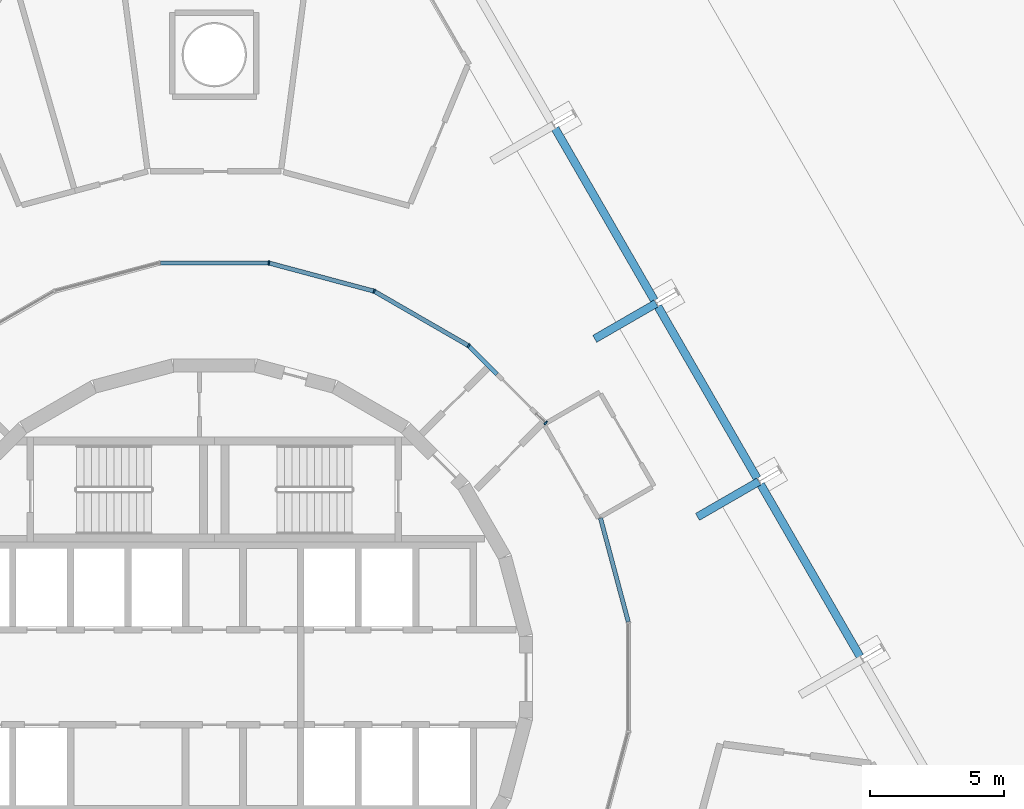
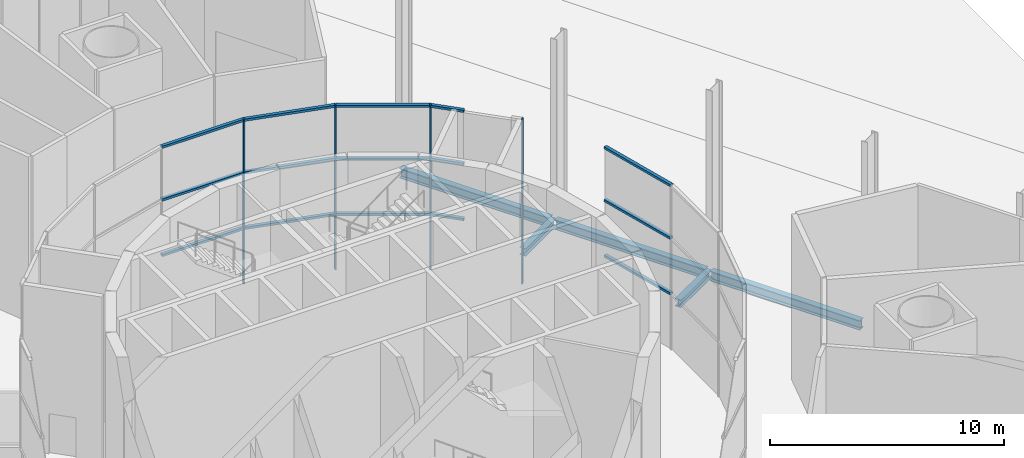
# One storey, part 9 of 21: 19 members, 5 beams, 5 elements without a shape of their own.
"""IFC4 building model written with IfcOpenShell, lengths in metres."""

from ifc_helpers import new_model, si_unit, direction, frame, origin, origin_2d, place, context, subcontext, project, spatial, rectangle, i_section, extrude, material, layer, layer_set, material_profile, profile_set, type_object, element, aggregate, save


model = new_model("IFC4")

# Units and contexts
model_context = context("Model", 3, precision=1e-05, world=origin(), true_north=direction((0.0, 1.0)))
body_context = subcontext(model_context, "Body", "Model", "MODEL_VIEW")
ifc_project = project(units=[si_unit("LENGTHUNIT", "METRE"), si_unit("AREAUNIT", "SQUARE_METRE"), si_unit("VOLUMEUNIT", "CUBIC_METRE"), si_unit("PLANEANGLEUNIT", "RADIAN"), si_unit("MASSUNIT", "GRAM", prefix="KILO")], contexts=[model_context])

# Site, building, storey
site_placement = place(None, origin())
site = spatial("IfcSite", under=ifc_project, at=site_placement, CompositionType="ELEMENT")
building_placement = place(site_placement, origin())
building = spatial("IfcBuilding", under=site, at=building_placement, Name="Spindle Arch Residences", CompositionType="ELEMENT")
storey_placement = place(building_placement, origin())
storey = spatial("IfcBuildingStorey", under=building, at=storey_placement, Name="L00", CompositionType="ELEMENT", Elevation=0.0)

# Curtain wall, member
ifc_material_1 = material(Name="Aluminium bronze unitised frame with tinted glass", Category="aluminium")
ifc_layer = layer(ifc_material_1, 0.159912109375)
ifc_layer_set = layer_set([ifc_layer], Name="CW-A arcade glazed lobby wall")
curtain_wall_type = type_object("IfcCurtainWallType", Name="CW-A arcade glazed lobby wall", PredefinedType="NOTDEFINED", material=ifc_layer_set)
curtain_wall_1_placement = place(storey_placement, origin())
curtain_wall_1 = element("IfcCurtainWall", 1, at=curtain_wall_1_placement, inside=storey, type_object=curtain_wall_type, Name="CW-A L00 CWA07", PredefinedType="NOTDEFINED")
ifc_material_2 = material(Name="Aluminium bronze anodised mullion", Category="aluminium")
ifc_material_profile_1 = material_profile(ifc_material_2, rectangle(XDim=0.159912109375, YDim=0.06005859375, at=origin_2d()), Name="MU 60x160")
ifc_profile_set_1 = profile_set([ifc_material_profile_1], Name="Aluminium bronze anodised mullion")
member_type_1 = type_object("IfcMemberType", Name="Bronze mullion 60x160", PredefinedType="MULLION", material=ifc_profile_set_1)
member_1_placement = place(storey_placement, frame((12.38427734375, 9.5029296875, 0.0), z_axis=(0.0, 0.0, 1.0), x_axis=(-0.707106781187, -0.707106781187, 0.0)))
member_1 = element("IfcMember", 2, at=member_1_placement, type_object=member_type_1, Name="CW-A mullion 1", PredefinedType="MULLION", context=body_context, shape_type="SweptSolid", body=[
    extrude(rectangle(XDim=0.159912109375, YDim=0.06005859375, at=origin_2d()), origin(), (0.0, 0.0, 1.0), 8.6201171875),
])

curtain_wall_2_placement = place(storey_placement, origin())
curtain_wall_2 = element("IfcCurtainWall", 3, at=curtain_wall_2_placement, inside=storey, type_object=curtain_wall_type, Name="CW-A L00 CWA08", PredefinedType="NOTDEFINED")
member_2_placement = place(storey_placement, frame((9.5029296875, 12.38427734375, 0.0), z_axis=(0.0, 0.0, 1.0), x_axis=(-0.500022695718, -0.866012300009, 0.0)))
member_2 = element("IfcMember", 4, at=member_2_placement, type_object=member_type_1, Name="CW-A mullion 1", PredefinedType="MULLION", context=body_context, shape_type="SweptSolid", body=[
    extrude(rectangle(XDim=0.159912109375, YDim=0.06005859375, at=origin_2d()), origin(), (0.0, 0.0, 1.0), 8.6201171875),
])

curtain_wall_3_placement = place(storey_placement, origin())
curtain_wall_3 = element("IfcCurtainWall", 5, at=curtain_wall_3_placement, inside=storey, type_object=curtain_wall_type, Name="CW-A L00 CWA09", PredefinedType="NOTDEFINED")
member_3_placement = place(storey_placement, frame((5.973876953125, 14.422119140625, 0.0), z_axis=(0.0, 0.0, 1.0), x_axis=(-0.258786338994, -0.965934589271, 0.0)))
member_3 = element("IfcMember", 6, at=member_3_placement, type_object=member_type_1, Name="CW-A mullion 1", PredefinedType="MULLION", context=body_context, shape_type="SweptSolid", body=[
    extrude(rectangle(XDim=0.159912109375, YDim=0.06005859375, at=origin_2d()), origin(), (0.0, 0.0, 1.0), 8.6201171875),
])

curtain_wall_4_placement = place(storey_placement, origin())
curtain_wall_4 = element("IfcCurtainWall", 7, at=curtain_wall_4_placement, inside=storey, type_object=curtain_wall_type, Name="CW-A L00 CWA10", PredefinedType="NOTDEFINED")
member_4_placement = place(storey_placement, frame((2.037353515625, 15.4765625, 0.0), z_axis=(0.0, 0.0, 1.0), x_axis=(0.0, -1.0, 0.0)))
member_4 = element("IfcMember", 8, at=member_4_placement, type_object=member_type_1, Name="CW-A mullion 1", PredefinedType="MULLION", context=body_context, shape_type="SweptSolid", body=[
    extrude(rectangle(XDim=0.159912109375, YDim=0.06005859375, at=origin_2d()), origin(), (0.0, 0.0, 1.0), 8.6201171875),
])

# Curtain wall, members
curtain_wall_5_placement = place(storey_placement, origin())
curtain_wall_5 = element("IfcCurtainWall", 9, at=curtain_wall_5_placement, inside=storey, type_object=curtain_wall_type, Name="CW-A L00 CWA05", PredefinedType="NOTDEFINED")
ifc_material_3 = material(Name="Aluminium bronze anodised transom", Category="aluminium")
ifc_material_profile_2 = material_profile(ifc_material_3, rectangle(XDim=0.159912109375, YDim=0.1201171875, at=origin_2d()), Name="TR 120x160")
ifc_profile_set_2 = profile_set([ifc_material_profile_2], Name="Aluminium bronze anodised transom")
member_type_2 = type_object("IfcMemberType", Name="Bronze transom 120x160", PredefinedType="USERDEFINED", material=ifc_profile_set_2)
member_5_placement = place(storey_placement, frame((15.46875, 2.06640625, 2.89990234375), z_axis=(-0.258782687609, 0.965935567517, 0.0), x_axis=(-0.965935567517, -0.258782687609, 0.0)))
member_5 = element("IfcMember", 10, at=member_5_placement, type_object=member_type_2, Name="CW-A transom 00.1", ObjectType="TRANSOM", PredefinedType="USERDEFINED", context=body_context, shape_type="SweptSolid", body=[
    extrude(rectangle(XDim=0.159912109375, YDim=0.1201171875, at=origin_2d()), origin(), (0.0, 0.0, 1.0), 4.01513671875),
])
member_6_placement = place(storey_placement, frame((15.46875, 2.06640625, 5.800048828125), z_axis=(-0.258782687609, 0.965935567517, 0.0), x_axis=(-0.965935567517, -0.258782687609, 0.0)))
member_6 = element("IfcMember", 11, at=member_6_placement, type_object=member_type_2, Name="CW-A transom 00.2", ObjectType="TRANSOM", PredefinedType="USERDEFINED", context=body_context, shape_type="SweptSolid", body=[
    extrude(rectangle(XDim=0.159912109375, YDim=0.1201171875, at=origin_2d()), origin(), (0.0, 0.0, 1.0), 4.01513671875),
])
member_7_placement = place(storey_placement, frame((15.46875, 2.06640625, 8.56005859375), z_axis=(-0.258782687609, 0.965935567517, 0.0), x_axis=(-0.965935567517, -0.258782687609, 0.0)))
member_7 = element("IfcMember", 12, at=member_7_placement, type_object=member_type_2, Name="CW-A transom 00.3", ObjectType="TRANSOM", PredefinedType="USERDEFINED", context=body_context, shape_type="SweptSolid", body=[
    extrude(rectangle(XDim=0.159912109375, YDim=0.1201171875, at=origin_2d()), origin(), (0.0, 0.0, 1.0), 4.01513671875),
])
aggregate(curtain_wall_5, [member_5, member_6, member_7])

# Member
member_8_placement = place(storey_placement, frame((10.56201171875, 11.3251953125, 2.89990234375), z_axis=(-0.707106781187, 0.707106781187, 0.0), x_axis=(-0.707106781187, -0.707106781187, 0.0)))
member_8 = element("IfcMember", 13, at=member_8_placement, type_object=member_type_2, Name="CW-A transom R.1", ObjectType="TRANSOM", PredefinedType="USERDEFINED", context=body_context, shape_type="SweptSolid", body=[
    extrude(rectangle(XDim=0.159912109375, YDim=0.1201171875, at=origin_2d()), origin(), (0.0, 0.0, 1.0), 1.4677734375),
])

member_9_placement = place(storey_placement, frame((10.56201171875, 11.3251953125, 5.800048828125), z_axis=(-0.707106781187, 0.707106781187, 0.0), x_axis=(-0.707106781187, -0.707106781187, 0.0)))
member_9 = element("IfcMember", 14, at=member_9_placement, type_object=member_type_2, Name="CW-A transom R.2", ObjectType="TRANSOM", PredefinedType="USERDEFINED", context=body_context, shape_type="SweptSolid", body=[
    extrude(rectangle(XDim=0.159912109375, YDim=0.1201171875, at=origin_2d()), origin(), (0.0, 0.0, 1.0), 1.4677734375),
])

member_10_placement = place(storey_placement, frame((10.56201171875, 11.3251953125, 8.56005859375), z_axis=(-0.707106781187, 0.707106781187, 0.0), x_axis=(-0.707106781187, -0.707106781187, 0.0)))
member_10 = element("IfcMember", 15, at=member_10_placement, type_object=member_type_2, Name="CW-A transom R.3", ObjectType="TRANSOM", PredefinedType="USERDEFINED", context=body_context, shape_type="SweptSolid", body=[
    extrude(rectangle(XDim=0.159912109375, YDim=0.1201171875, at=origin_2d()), origin(), (0.0, 0.0, 1.0), 1.4677734375),
])

aggregate(curtain_wall_1, [member_1, member_8, member_9, member_10])

member_11_placement = place(storey_placement, frame((9.476806640625, 12.3994140625, 2.89990234375), z_axis=(-0.866015464827, 0.500017214385, 0.0), x_axis=(-0.500017214385, -0.866015464827, 0.0)))
member_11 = element("IfcMember", 16, at=member_11_placement, type_object=member_type_2, Name="CW-A transom 00.1", ObjectType="TRANSOM", PredefinedType="USERDEFINED", context=body_context, shape_type="SweptSolid", body=[
    extrude(rectangle(XDim=0.159912109375, YDim=0.1201171875, at=origin_2d()), origin(), (0.0, 0.0, 1.0), 4.014892578125),
])

member_12_placement = place(storey_placement, frame((9.476806640625, 12.3994140625, 5.800048828125), z_axis=(-0.866015464827, 0.500017214385, 0.0), x_axis=(-0.500017214385, -0.866015464827, 0.0)))
member_12 = element("IfcMember", 17, at=member_12_placement, type_object=member_type_2, Name="CW-A transom 00.2", ObjectType="TRANSOM", PredefinedType="USERDEFINED", context=body_context, shape_type="SweptSolid", body=[
    extrude(rectangle(XDim=0.159912109375, YDim=0.1201171875, at=origin_2d()), origin(), (0.0, 0.0, 1.0), 4.014892578125),
])

member_13_placement = place(storey_placement, frame((9.476806640625, 12.3994140625, 8.56005859375), z_axis=(-0.866015464827, 0.500017214385, 0.0), x_axis=(-0.500017214385, -0.866015464827, 0.0)))
member_13 = element("IfcMember", 18, at=member_13_placement, type_object=member_type_2, Name="CW-A transom 00.3", ObjectType="TRANSOM", PredefinedType="USERDEFINED", context=body_context, shape_type="SweptSolid", body=[
    extrude(rectangle(XDim=0.159912109375, YDim=0.1201171875, at=origin_2d()), origin(), (0.0, 0.0, 1.0), 4.014892578125),
])

aggregate(curtain_wall_2, [member_2, member_11, member_12, member_13])

member_14_placement = place(storey_placement, frame((5.94482421875, 14.4296875, 2.89990234375), z_axis=(-0.965935567517, 0.258782687609, 0.0), x_axis=(-0.258782687609, -0.965935567517, 0.0)))
member_14 = element("IfcMember", 19, at=member_14_placement, type_object=member_type_2, Name="CW-A transom 00.1", ObjectType="TRANSOM", PredefinedType="USERDEFINED", context=body_context, shape_type="SweptSolid", body=[
    extrude(rectangle(XDim=0.159912109375, YDim=0.1201171875, at=origin_2d()), origin(), (0.0, 0.0, 1.0), 4.01513671875),
])

member_15_placement = place(storey_placement, frame((5.94482421875, 14.4296875, 5.800048828125), z_axis=(-0.965935567517, 0.258782687609, 0.0), x_axis=(-0.258782687609, -0.965935567517, 0.0)))
member_15 = element("IfcMember", 20, at=member_15_placement, type_object=member_type_2, Name="CW-A transom 00.2", ObjectType="TRANSOM", PredefinedType="USERDEFINED", context=body_context, shape_type="SweptSolid", body=[
    extrude(rectangle(XDim=0.159912109375, YDim=0.1201171875, at=origin_2d()), origin(), (0.0, 0.0, 1.0), 4.01513671875),
])

member_16_placement = place(storey_placement, frame((5.94482421875, 14.4296875, 8.56005859375), z_axis=(-0.965935567517, 0.258782687609, 0.0), x_axis=(-0.258782687609, -0.965935567517, 0.0)))
member_16 = element("IfcMember", 21, at=member_16_placement, type_object=member_type_2, Name="CW-A transom 00.3", ObjectType="TRANSOM", PredefinedType="USERDEFINED", context=body_context, shape_type="SweptSolid", body=[
    extrude(rectangle(XDim=0.159912109375, YDim=0.1201171875, at=origin_2d()), origin(), (0.0, 0.0, 1.0), 4.01513671875),
])

aggregate(curtain_wall_3, [member_3, member_14, member_15, member_16])

member_17_placement = place(storey_placement, frame((2.00732421875, 15.4765625, 2.89990234375), z_axis=(-1.0, 0.0, 0.0), x_axis=(0.0, -1.0, 0.0)))
member_17 = element("IfcMember", 22, at=member_17_placement, type_object=member_type_2, Name="CW-A transom 00.1", ObjectType="TRANSOM", PredefinedType="USERDEFINED", context=body_context, shape_type="SweptSolid", body=[
    extrude(rectangle(XDim=0.159912109375, YDim=0.1201171875, at=origin_2d()), origin(), (0.0, 0.0, 1.0), 4.0146484375),
])

member_18_placement = place(storey_placement, frame((2.00732421875, 15.4765625, 5.800048828125), z_axis=(-1.0, 0.0, 0.0), x_axis=(0.0, -1.0, 0.0)))
member_18 = element("IfcMember", 23, at=member_18_placement, type_object=member_type_2, Name="CW-A transom 00.2", ObjectType="TRANSOM", PredefinedType="USERDEFINED", context=body_context, shape_type="SweptSolid", body=[
    extrude(rectangle(XDim=0.159912109375, YDim=0.1201171875, at=origin_2d()), origin(), (0.0, 0.0, 1.0), 4.0146484375),
])

member_19_placement = place(storey_placement, frame((2.00732421875, 15.4765625, 8.56005859375), z_axis=(-1.0, 0.0, 0.0), x_axis=(0.0, -1.0, 0.0)))
member_19 = element("IfcMember", 24, at=member_19_placement, type_object=member_type_2, Name="CW-A transom 00.3", ObjectType="TRANSOM", PredefinedType="USERDEFINED", context=body_context, shape_type="SweptSolid", body=[
    extrude(rectangle(XDim=0.159912109375, YDim=0.1201171875, at=origin_2d()), origin(), (0.0, 0.0, 1.0), 4.0146484375),
])

aggregate(curtain_wall_4, [member_4, member_17, member_18, member_19])

# Beams
ifc_material_4 = material(Name="Steel S460ML, intumescent coating R 120", Category="steel")
ifc_material_profile_3 = material_profile(ifc_material_4, i_section(OverallWidth=0.300048828125, OverallDepth=0.5, WebThickness=0.014404296875, FlangeThickness=0.028076171875, FilletRadius=0.027099609375, at=origin_2d()), Name="HEB 500")
ifc_profile_set_3 = profile_set([ifc_material_profile_3], Name="Steel S460ML, intumescent coating R 120")
beam_type_1 = type_object("IfcBeamType", Name="Exoskeleton edge beam HEB 500", PredefinedType="BEAM", material=ifc_profile_set_3)
beam_1_placement = place(storey_placement, frame((24.1240234375, 0.77587890625, -0.949951171875), z_axis=(-0.49998923004, 0.866031621735, 0.0), x_axis=(-0.866031621735, -0.49998923004, 0.0)))
element("IfcBeam", 25, at=beam_1_placement, inside=storey, type_object=beam_type_1, Name="Exoskeleton edge beam 7", PredefinedType="BEAM", context=body_context, shape_type="SweptSolid", body=[
    extrude(i_section(OverallWidth=0.300048828125, OverallDepth=0.5, WebThickness=0.014404296875, FlangeThickness=0.028076171875, FilletRadius=0.027099609375, at=origin_2d()), origin(), (0.0, 0.0, 1.0), 7.420166015625),
])
beam_2_placement = place(storey_placement, frame((20.283935546875, 7.427001953125, -0.949951171875), z_axis=(-0.500003477455, 0.866023396066, 0.0), x_axis=(-0.866023396066, -0.500003477455, 0.0)))
element("IfcBeam", 26, at=beam_2_placement, inside=storey, type_object=beam_type_1, Name="Exoskeleton edge beam 8", PredefinedType="BEAM", context=body_context, shape_type="SweptSolid", body=[
    extrude(i_section(OverallWidth=0.300048828125, OverallDepth=0.5, WebThickness=0.014404296875, FlangeThickness=0.028076171875, FilletRadius=0.027099609375, at=origin_2d()), origin(), (0.0, 0.0, 1.0), 7.419921875),
])
beam_3_placement = place(storey_placement, frame((16.44384765625, 14.078125, -0.949951171875), z_axis=(-0.49998923004, 0.866031621735, 0.0), x_axis=(-0.866031621735, -0.49998923004, 0.0)))
element("IfcBeam", 27, at=beam_3_placement, inside=storey, type_object=beam_type_1, Name="Exoskeleton edge beam 9", PredefinedType="BEAM", context=body_context, shape_type="SweptSolid", body=[
    extrude(i_section(OverallWidth=0.300048828125, OverallDepth=0.5, WebThickness=0.014404296875, FlangeThickness=0.028076171875, FilletRadius=0.027099609375, at=origin_2d()), origin(), (0.0, 0.0, 1.0), 7.420166015625),
])
ifc_material_5 = material(Name="Steel S460ML, intumescent coating R 120", Category="steel")
ifc_material_profile_4 = material_profile(ifc_material_5, i_section(OverallWidth=0.300048828125, OverallDepth=0.389892578125, WebThickness=0.010986328125, FlangeThickness=0.01904296875, FilletRadius=0.027099609375, at=origin_2d()), Name="HEA 400")
ifc_profile_set_4 = profile_set([ifc_material_profile_4], Name="Steel S460ML, intumescent coating R 120")
beam_type_2 = type_object("IfcBeamType", Name="Floor outrigger HEA 400", PredefinedType="BEAM", material=ifc_profile_set_4)
for number, where, z_axis, x_axis, name in (
    (28, (20.34912109375, 7.314453125, -0.89501953125), (-0.866052124492, -0.499953715521, 0.0), (0.499953715521, -0.866052124492, 0.0), "Floor outrigger 8"),
    (29, (16.5087890625, 13.965576171875, -0.89501953125), (-0.865989200783, -0.500062700197, 0.0), (0.500062700197, -0.865989200783, 0.0), "Floor outrigger 9"),
):
    element("IfcBeam", number, at=place(storey_placement, frame(where, z_axis=z_axis, x_axis=x_axis)), inside=storey, type_object=beam_type_2, Name=name, PredefinedType="BEAM", context=body_context, shape_type="SweptSolid", body=[
        extrude(i_section(OverallWidth=0.300048828125, OverallDepth=0.389892578125, WebThickness=0.010986328125, FlangeThickness=0.01904296875, FilletRadius=0.027099609375, at=origin_2d()), origin(), (0.0, 0.0, 1.0), 2.650146484375),
    ])

save(model, "model.ifc")
